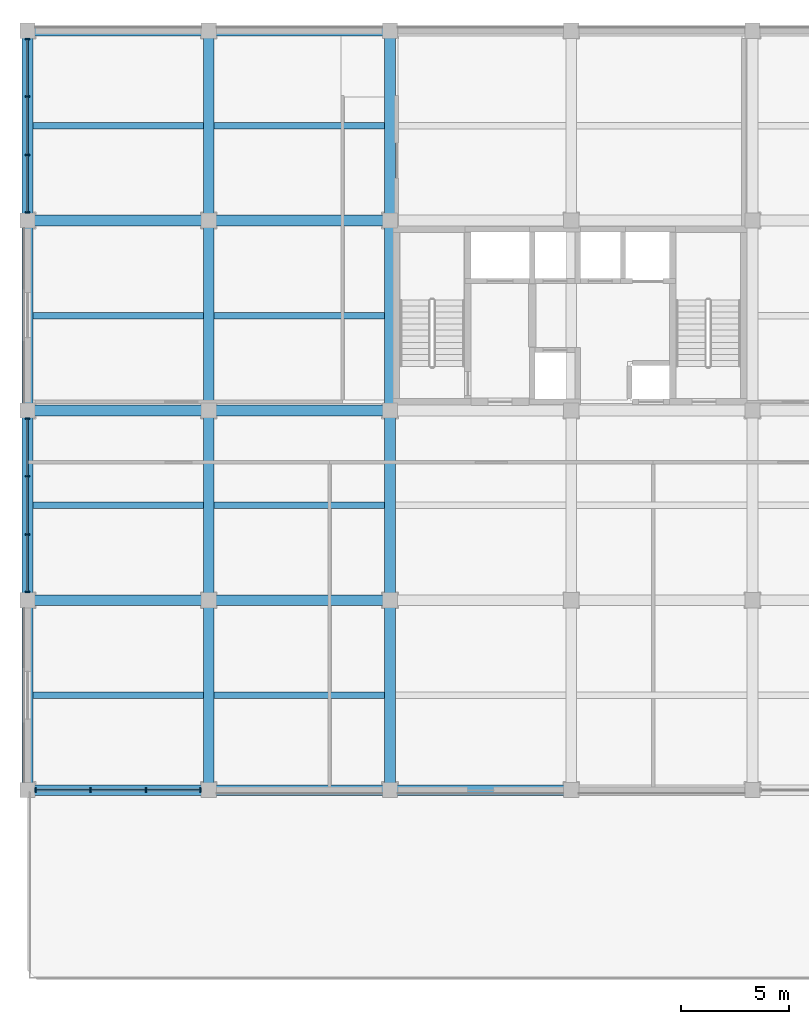
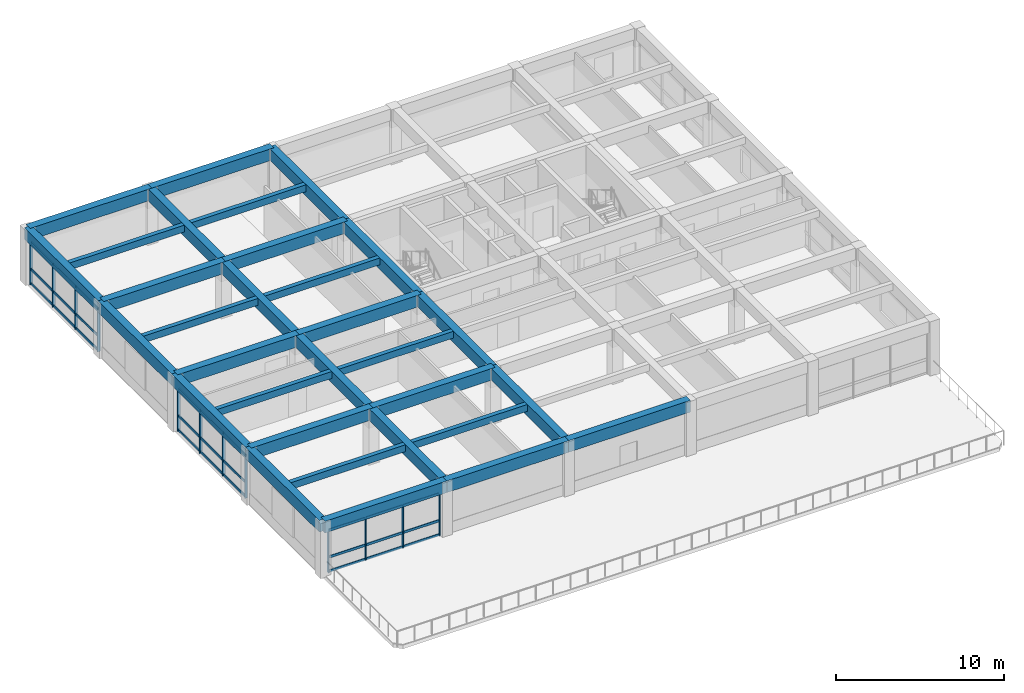
# One storey, part 2 of 8: 39 members, 31 beams, 3 elements without a shape of their own.
"""IFC4 building model written with IfcOpenShell, lengths in metres."""

from ifc_helpers import new_model, si_unit, direction, frame, origin, origin_2d, place, context, subcontext, project, spatial, rectangle, extrude, material, material_profile, profile_set, type_object, element, aggregate, save


model = new_model("IFC4")

# Units and contexts
model_context = context("Model", 3, precision=1e-05, world=origin(), true_north=direction((0.0, 1.0)))
body_context = subcontext(model_context, "Body", "Model", "MODEL_VIEW")
ifc_project = project(units=[si_unit("LENGTHUNIT", "METRE"), si_unit("AREAUNIT", "SQUARE_METRE"), si_unit("VOLUMEUNIT", "CUBIC_METRE"), si_unit("PLANEANGLEUNIT", "RADIAN"), si_unit("MASSUNIT", "GRAM", prefix="KILO")], contexts=[model_context])

# Site, building, storey
site_placement = place(None, origin())
site = spatial("IfcSite", under=ifc_project, at=site_placement, CompositionType="ELEMENT")
building_placement = place(site_placement, origin())
building = spatial("IfcBuilding", under=site, at=building_placement, Name="Kemercrest Conservatory and Botanical Centre", CompositionType="ELEMENT")
storey_placement = place(building_placement, frame((0.0, 0.0, 24.800048828125)))
storey = spatial("IfcBuildingStorey", under=building, at=storey_placement, Name="L06", CompositionType="ELEMENT", Elevation=24.800048828125)

# Beams
ifc_material_1 = material(Name="Concrete C50/60", Category="concrete")
ifc_material_profile_1 = material_profile(ifc_material_1, rectangle(XDim=0.5, YDim=0.85009765625, at=origin_2d()), Name="RC 500x850")
ifc_profile_set_1 = profile_set([ifc_material_profile_1], Name="Concrete C50/60")
beam_type_1 = type_object("IfcBeamType", Name="BM-RC85", PredefinedType="BEAM", material=ifc_profile_set_1)
beam_1_placement = place(storey_placement, frame((134.0, 96.0, 3.574951171875), z_axis=(1.0, 0.0, 0.0), x_axis=(0.0, 1.0, 0.0)))
element("IfcBeam", 1, at=beam_1_placement, inside=storey, type_object=beam_type_1, Name="V4-L07 beam BM-RC85 L/16-17", PredefinedType="BEAM", context=body_context, shape_type="SweptSolid", body=[
    extrude(rectangle(XDim=0.5, YDim=0.85009765625, at=origin_2d()), origin(), (0.0, 0.0, 1.0), 8.39990234375),
])
beam_2_placement = place(storey_placement, frame((142.39990234375, 96.0, 3.574951171875), z_axis=(1.0, 0.0, 0.0), x_axis=(0.0, 1.0, 0.0)))
element("IfcBeam", 2, at=beam_2_placement, inside=storey, type_object=beam_type_1, Name="V4-L07 beam BM-RC85 L/17-18", PredefinedType="BEAM", context=body_context, shape_type="SweptSolid", body=[
    extrude(rectangle(XDim=0.5, YDim=0.85009765625, at=origin_2d()), origin(), (0.0, 0.0, 1.0), 8.400146484375),
])
beam_3_placement = place(storey_placement, frame((134.0, 104.800048828125, 3.574951171875), z_axis=(1.0, 0.0, 0.0), x_axis=(0.0, 1.0, 0.0)))
element("IfcBeam", 3, at=beam_3_placement, inside=storey, type_object=beam_type_1, Name="V4-L07 beam BM-RC85 M/16-17", PredefinedType="BEAM", context=body_context, shape_type="SweptSolid", body=[
    extrude(rectangle(XDim=0.5, YDim=0.85009765625, at=origin_2d()), origin(), (0.0, 0.0, 1.0), 8.39990234375),
])
beam_4_placement = place(storey_placement, frame((142.39990234375, 104.800048828125, 3.574951171875), z_axis=(1.0, 0.0, 0.0), x_axis=(0.0, 1.0, 0.0)))
element("IfcBeam", 4, at=beam_4_placement, inside=storey, type_object=beam_type_1, Name="V4-L07 beam BM-RC85 M/17-18", PredefinedType="BEAM", context=body_context, shape_type="SweptSolid", body=[
    extrude(rectangle(XDim=0.5, YDim=0.85009765625, at=origin_2d()), origin(), (0.0, 0.0, 1.0), 8.400146484375),
])
beam_5_placement = place(storey_placement, frame((134.0, 113.60009765625, 3.574951171875), z_axis=(1.0, 0.0, 0.0), x_axis=(0.0, 1.0, 0.0)))
element("IfcBeam", 5, at=beam_5_placement, inside=storey, type_object=beam_type_1, Name="V4-L07 beam BM-RC85 N/16-17", PredefinedType="BEAM", context=body_context, shape_type="SweptSolid", body=[
    extrude(rectangle(XDim=0.5, YDim=0.85009765625, at=origin_2d()), origin(), (0.0, 0.0, 1.0), 8.39990234375),
])
beam_6_placement = place(storey_placement, frame((142.39990234375, 113.60009765625, 3.574951171875), z_axis=(1.0, 0.0, 0.0), x_axis=(0.0, 1.0, 0.0)))
element("IfcBeam", 6, at=beam_6_placement, inside=storey, type_object=beam_type_1, Name="V4-L07 beam BM-RC85 N/17-18", PredefinedType="BEAM", context=body_context, shape_type="SweptSolid", body=[
    extrude(rectangle(XDim=0.5, YDim=0.85009765625, at=origin_2d()), origin(), (0.0, 0.0, 1.0), 8.400146484375),
])
for number, where, z_axis, x_axis, name in (
    (7, (142.39990234375, 87.199951171875, 3.574951171875), (0.0, 1.0, 0.0), (-1.0, 0.0, 0.0), "V4-L07 beam BM-RC85 17/K-L"),
    (8, (142.39990234375, 96.0, 3.574951171875), (0.0, 1.0, 0.0), (-1.0, 0.0, 0.0), "V4-L07 beam BM-RC85 17/L-M"),
    (9, (142.39990234375, 104.800048828125, 3.574951171875), (0.0, 1.0, 0.0), (-1.0, 0.0, 0.0), "V4-L07 beam BM-RC85 17/M-N"),
):
    element("IfcBeam", number, at=place(storey_placement, frame(where, z_axis=z_axis, x_axis=x_axis)), inside=storey, type_object=beam_type_1, Name=name, PredefinedType="BEAM", context=body_context, shape_type="SweptSolid", body=[
        extrude(rectangle(XDim=0.5, YDim=0.85009765625, at=origin_2d()), origin(), (0.0, 0.0, 1.0), 8.800048828125),
    ])
beam_7_placement = place(storey_placement, frame((142.39990234375, 113.60009765625, 3.574951171875), z_axis=(0.0, 1.0, 0.0), x_axis=(-1.0, 0.0, 0.0)))
element("IfcBeam", 10, at=beam_7_placement, inside=storey, type_object=beam_type_1, Name="V4-L07 beam BM-RC85 17/N-P", PredefinedType="BEAM", context=body_context, shape_type="SweptSolid", body=[
    extrude(rectangle(XDim=0.5, YDim=0.85009765625, at=origin_2d()), origin(), (0.0, 0.0, 1.0), 8.7998046875),
])
for number, where, z_axis, x_axis, name in (
    (11, (150.800048828125, 87.199951171875, 3.574951171875), (0.0, 1.0, 0.0), (-1.0, 0.0, 0.0), "V4-L07 beam BM-RC85 18/K-L"),
    (12, (150.800048828125, 96.0, 3.574951171875), (0.0, 1.0, 0.0), (-1.0, 0.0, 0.0), "V4-L07 beam BM-RC85 18/L-M"),
    (13, (150.800048828125, 104.800048828125, 3.574951171875), (0.0, 1.0, 0.0), (-1.0, 0.0, 0.0), "V4-L07 beam BM-RC85 18/M-N"),
):
    element("IfcBeam", number, at=place(storey_placement, frame(where, z_axis=z_axis, x_axis=x_axis)), inside=storey, type_object=beam_type_1, Name=name, PredefinedType="BEAM", context=body_context, shape_type="SweptSolid", body=[
        extrude(rectangle(XDim=0.5, YDim=0.85009765625, at=origin_2d()), origin(), (0.0, 0.0, 1.0), 8.800048828125),
    ])
beam_8_placement = place(storey_placement, frame((150.800048828125, 113.60009765625, 3.574951171875), z_axis=(0.0, 1.0, 0.0), x_axis=(-1.0, 0.0, 0.0)))
element("IfcBeam", 14, at=beam_8_placement, inside=storey, type_object=beam_type_1, Name="V4-L07 beam BM-RC85 18/N-P", PredefinedType="BEAM", context=body_context, shape_type="SweptSolid", body=[
    extrude(rectangle(XDim=0.5, YDim=0.85009765625, at=origin_2d()), origin(), (0.0, 0.0, 1.0), 8.7998046875),
])

# Curtain wall, members
ifc_material_2 = material(Name="Thermally broken aluminium and triple low-e glazing", Category="aluminium")
curtain_wall_type_1 = type_object("IfcCurtainWallType", Name="CW-23", PredefinedType="USERDEFINED", material=ifc_material_2)
curtain_wall_1_placement = place(storey_placement, origin())
curtain_wall_1 = element("IfcCurtainWall", 15, at=curtain_wall_1_placement, inside=storey, type_object=curtain_wall_type_1, Name="Unitised curtain wall CW-23 (CW:L06:V4-082)", ObjectType="UNITISED CURTAIN WALL", PredefinedType="USERDEFINED")
ifc_material_3 = material(Name="Thermally broken anodized aluminium 6063-T6", Category="aluminium")
ifc_material_profile_2 = material_profile(ifc_material_3, rectangle(XDim=0.199951171875, YDim=0.06494140625, at=origin_2d()), Name="AL MULLION 65x200")
ifc_profile_set_2 = profile_set([ifc_material_profile_2], Name="Thermally broken anodized aluminium 6063-T6")
member_type_1 = type_object("IfcMemberType", Name="CW-M200", PredefinedType="MULLION", material=ifc_profile_set_2)
member_1_placement = place(storey_placement, frame((134.37744140625, 87.199951171875, 0.0), z_axis=(0.0, 0.0, 1.0), x_axis=(0.0, 1.0, 0.0)))
member_1 = element("IfcMember", 16, at=member_1_placement, type_object=member_type_1, Name="CW-23 mullion 1", PredefinedType="MULLION", context=body_context, shape_type="SweptSolid", body=[
    extrude(rectangle(XDim=0.199951171875, YDim=0.06494140625, at=origin_2d()), origin(), (0.0, 0.0, 1.0), 3.155029296875),
])
member_2_placement = place(storey_placement, frame((136.9150390625, 87.199951171875, 0.0), z_axis=(0.0, 0.0, 1.0), x_axis=(0.0, 1.0, 0.0)))
member_2 = element("IfcMember", 17, at=member_2_placement, type_object=member_type_1, Name="CW-23 mullion 2", PredefinedType="MULLION", context=body_context, shape_type="SweptSolid", body=[
    extrude(rectangle(XDim=0.199951171875, YDim=0.06494140625, at=origin_2d()), origin(), (0.0, 0.0, 1.0), 3.155029296875),
])
member_3_placement = place(storey_placement, frame((139.485107421875, 87.199951171875, 0.0), z_axis=(0.0, 0.0, 1.0), x_axis=(0.0, 1.0, 0.0)))
member_3 = element("IfcMember", 18, at=member_3_placement, type_object=member_type_1, Name="CW-23 mullion 3", PredefinedType="MULLION", context=body_context, shape_type="SweptSolid", body=[
    extrude(rectangle(XDim=0.199951171875, YDim=0.06494140625, at=origin_2d()), origin(), (0.0, 0.0, 1.0), 3.155029296875),
])
member_4_placement = place(storey_placement, frame((142.0224609375, 87.199951171875, 0.0), z_axis=(0.0, 0.0, 1.0), x_axis=(0.0, 1.0, 0.0)))
member_4 = element("IfcMember", 19, at=member_4_placement, type_object=member_type_1, Name="CW-23 mullion 4", PredefinedType="MULLION", context=body_context, shape_type="SweptSolid", body=[
    extrude(rectangle(XDim=0.199951171875, YDim=0.06494140625, at=origin_2d()), origin(), (0.0, 0.0, 1.0), 3.155029296875),
])

curtain_wall_type_2 = type_object("IfcCurtainWallType", Name="CW-27", PredefinedType="USERDEFINED", material=ifc_material_2)
curtain_wall_2_placement = place(storey_placement, origin())
curtain_wall_2 = element("IfcCurtainWall", 20, at=curtain_wall_2_placement, inside=storey, type_object=curtain_wall_type_2, Name="Unitised curtain wall CW-27 (CW:L06:V4-086)", ObjectType="UNITISED CURTAIN WALL", PredefinedType="USERDEFINED")
member_5_placement = place(storey_placement, frame((134.0, 122.0224609375, 0.0), z_axis=(0.0, 0.0, 1.0), x_axis=(1.0, 0.0, 0.0)))
member_5 = element("IfcMember", 21, at=member_5_placement, type_object=member_type_1, Name="CW-27 mullion 1", PredefinedType="MULLION", context=body_context, shape_type="SweptSolid", body=[
    extrude(rectangle(XDim=0.199951171875, YDim=0.06494140625, at=origin_2d()), origin(), (0.0, 0.0, 1.0), 3.155029296875),
])
member_6_placement = place(storey_placement, frame((134.0, 119.3515625, 0.0), z_axis=(0.0, 0.0, 1.0), x_axis=(1.0, 0.0, 0.0)))
member_6 = element("IfcMember", 22, at=member_6_placement, type_object=member_type_1, Name="CW-27 mullion 2", PredefinedType="MULLION", context=body_context, shape_type="SweptSolid", body=[
    extrude(rectangle(XDim=0.199951171875, YDim=0.06494140625, at=origin_2d()), origin(), (0.0, 0.0, 1.0), 3.155029296875),
])
member_7_placement = place(storey_placement, frame((134.0, 116.6484375, 0.0), z_axis=(0.0, 0.0, 1.0), x_axis=(1.0, 0.0, 0.0)))
member_7 = element("IfcMember", 23, at=member_7_placement, type_object=member_type_1, Name="CW-27 mullion 3", PredefinedType="MULLION", context=body_context, shape_type="SweptSolid", body=[
    extrude(rectangle(XDim=0.199951171875, YDim=0.06494140625, at=origin_2d()), origin(), (0.0, 0.0, 1.0), 3.155029296875),
])
member_8_placement = place(storey_placement, frame((134.0, 113.9775390625, 0.0), z_axis=(0.0, 0.0, 1.0), x_axis=(1.0, 0.0, 0.0)))
member_8 = element("IfcMember", 24, at=member_8_placement, type_object=member_type_1, Name="CW-27 mullion 4", PredefinedType="MULLION", context=body_context, shape_type="SweptSolid", body=[
    extrude(rectangle(XDim=0.199951171875, YDim=0.06494140625, at=origin_2d()), origin(), (0.0, 0.0, 1.0), 3.155029296875),
])

curtain_wall_type_3 = type_object("IfcCurtainWallType", Name="CW-28", PredefinedType="USERDEFINED", material=ifc_material_2)
curtain_wall_3_placement = place(storey_placement, origin())
curtain_wall_3 = element("IfcCurtainWall", 25, at=curtain_wall_3_placement, inside=storey, type_object=curtain_wall_type_3, Name="Unitised curtain wall CW-28 (CW:L06:V4-087)", ObjectType="UNITISED CURTAIN WALL", PredefinedType="USERDEFINED")
member_9_placement = place(storey_placement, frame((134.0, 104.422607421875, 0.0), z_axis=(0.0, 0.0, 1.0), x_axis=(1.0, 0.0, 0.0)))
member_9 = element("IfcMember", 26, at=member_9_placement, type_object=member_type_1, Name="CW-28 mullion 1", PredefinedType="MULLION", context=body_context, shape_type="SweptSolid", body=[
    extrude(rectangle(XDim=0.199951171875, YDim=0.06494140625, at=origin_2d()), origin(), (0.0, 0.0, 1.0), 3.155029296875),
])
member_10_placement = place(storey_placement, frame((134.0, 101.751708984375, 0.0), z_axis=(0.0, 0.0, 1.0), x_axis=(1.0, 0.0, 0.0)))
member_10 = element("IfcMember", 27, at=member_10_placement, type_object=member_type_1, Name="CW-28 mullion 2", PredefinedType="MULLION", context=body_context, shape_type="SweptSolid", body=[
    extrude(rectangle(XDim=0.199951171875, YDim=0.06494140625, at=origin_2d()), origin(), (0.0, 0.0, 1.0), 3.155029296875),
])
member_11_placement = place(storey_placement, frame((134.0, 99.04833984375, 0.0), z_axis=(0.0, 0.0, 1.0), x_axis=(1.0, 0.0, 0.0)))
member_11 = element("IfcMember", 28, at=member_11_placement, type_object=member_type_1, Name="CW-28 mullion 3", PredefinedType="MULLION", context=body_context, shape_type="SweptSolid", body=[
    extrude(rectangle(XDim=0.199951171875, YDim=0.06494140625, at=origin_2d()), origin(), (0.0, 0.0, 1.0), 3.155029296875),
])
member_12_placement = place(storey_placement, frame((134.0, 96.37744140625, 0.0), z_axis=(0.0, 0.0, 1.0), x_axis=(1.0, 0.0, 0.0)))
member_12 = element("IfcMember", 29, at=member_12_placement, type_object=member_type_1, Name="CW-28 mullion 4", PredefinedType="MULLION", context=body_context, shape_type="SweptSolid", body=[
    extrude(rectangle(XDim=0.199951171875, YDim=0.06494140625, at=origin_2d()), origin(), (0.0, 0.0, 1.0), 3.155029296875),
])

# Member
ifc_material_profile_3 = material_profile(ifc_material_3, rectangle(XDim=0.074951171875, YDim=0.179931640625, at=origin_2d()), Name="AL TRANSOM 75x180")
ifc_profile_set_3 = profile_set([ifc_material_profile_3], Name="Thermally broken anodized aluminium 6063-T6")
member_type_2 = type_object("IfcMemberType", Name="CW-T180", PredefinedType="USERDEFINED", material=ifc_profile_set_3)
member_13_placement = place(storey_placement, frame((134.409912109375, 87.199951171875, 0.08984375), z_axis=(1.0, 0.0, 0.0), x_axis=(0.0, 1.0, 0.0)))
member_13 = element("IfcMember", 30, at=member_13_placement, type_object=member_type_2, Name="CW-23 transom 1.1", ObjectType="TRANSOM", PredefinedType="USERDEFINED", context=body_context, shape_type="SweptSolid", body=[
    extrude(rectangle(XDim=0.074951171875, YDim=0.179931640625, at=origin_2d()), origin(), (0.0, 0.0, 1.0), 2.47265625),
])

member_14_placement = place(storey_placement, frame((134.409912109375, 87.199951171875, 1.119873046875), z_axis=(1.0, 0.0, 0.0), x_axis=(0.0, 1.0, 0.0)))
member_14 = element("IfcMember", 31, at=member_14_placement, type_object=member_type_2, Name="CW-23 transom 1.2", ObjectType="TRANSOM", PredefinedType="USERDEFINED", context=body_context, shape_type="SweptSolid", body=[
    extrude(rectangle(XDim=0.074951171875, YDim=0.179931640625, at=origin_2d()), origin(), (0.0, 0.0, 1.0), 2.47265625),
])

member_15_placement = place(storey_placement, frame((134.409912109375, 87.199951171875, 3.06494140625), z_axis=(1.0, 0.0, 0.0), x_axis=(0.0, 1.0, 0.0)))
member_15 = element("IfcMember", 32, at=member_15_placement, type_object=member_type_2, Name="CW-23 transom 1.3", ObjectType="TRANSOM", PredefinedType="USERDEFINED", context=body_context, shape_type="SweptSolid", body=[
    extrude(rectangle(XDim=0.074951171875, YDim=0.179931640625, at=origin_2d()), origin(), (0.0, 0.0, 1.0), 2.47265625),
])

member_16_placement = place(storey_placement, frame((136.947509765625, 87.199951171875, 0.08984375), z_axis=(1.0, 0.0, 0.0), x_axis=(0.0, 1.0, 0.0)))
member_16 = element("IfcMember", 33, at=member_16_placement, type_object=member_type_2, Name="CW-23 transom 2.1", ObjectType="TRANSOM", PredefinedType="USERDEFINED", context=body_context, shape_type="SweptSolid", body=[
    extrude(rectangle(XDim=0.074951171875, YDim=0.179931640625, at=origin_2d()), origin(), (0.0, 0.0, 1.0), 2.5048828125),
])

member_17_placement = place(storey_placement, frame((136.947509765625, 87.199951171875, 1.119873046875), z_axis=(1.0, 0.0, 0.0), x_axis=(0.0, 1.0, 0.0)))
member_17 = element("IfcMember", 34, at=member_17_placement, type_object=member_type_2, Name="CW-23 transom 2.2", ObjectType="TRANSOM", PredefinedType="USERDEFINED", context=body_context, shape_type="SweptSolid", body=[
    extrude(rectangle(XDim=0.074951171875, YDim=0.179931640625, at=origin_2d()), origin(), (0.0, 0.0, 1.0), 2.5048828125),
])

member_18_placement = place(storey_placement, frame((136.947509765625, 87.199951171875, 3.06494140625), z_axis=(1.0, 0.0, 0.0), x_axis=(0.0, 1.0, 0.0)))
member_18 = element("IfcMember", 35, at=member_18_placement, type_object=member_type_2, Name="CW-23 transom 2.3", ObjectType="TRANSOM", PredefinedType="USERDEFINED", context=body_context, shape_type="SweptSolid", body=[
    extrude(rectangle(XDim=0.074951171875, YDim=0.179931640625, at=origin_2d()), origin(), (0.0, 0.0, 1.0), 2.5048828125),
])

member_19_placement = place(storey_placement, frame((139.517578125, 87.199951171875, 0.08984375), z_axis=(1.0, 0.0, 0.0), x_axis=(0.0, 1.0, 0.0)))
member_19 = element("IfcMember", 36, at=member_19_placement, type_object=member_type_2, Name="CW-23 transom 3.1", ObjectType="TRANSOM", PredefinedType="USERDEFINED", context=body_context, shape_type="SweptSolid", body=[
    extrude(rectangle(XDim=0.074951171875, YDim=0.179931640625, at=origin_2d()), origin(), (0.0, 0.0, 1.0), 2.472412109375),
])

member_20_placement = place(storey_placement, frame((139.517578125, 87.199951171875, 1.119873046875), z_axis=(1.0, 0.0, 0.0), x_axis=(0.0, 1.0, 0.0)))
member_20 = element("IfcMember", 37, at=member_20_placement, type_object=member_type_2, Name="CW-23 transom 3.2", ObjectType="TRANSOM", PredefinedType="USERDEFINED", context=body_context, shape_type="SweptSolid", body=[
    extrude(rectangle(XDim=0.074951171875, YDim=0.179931640625, at=origin_2d()), origin(), (0.0, 0.0, 1.0), 2.472412109375),
])

member_21_placement = place(storey_placement, frame((139.517578125, 87.199951171875, 3.06494140625), z_axis=(1.0, 0.0, 0.0), x_axis=(0.0, 1.0, 0.0)))
member_21 = element("IfcMember", 38, at=member_21_placement, type_object=member_type_2, Name="CW-23 transom 3.3", ObjectType="TRANSOM", PredefinedType="USERDEFINED", context=body_context, shape_type="SweptSolid", body=[
    extrude(rectangle(XDim=0.074951171875, YDim=0.179931640625, at=origin_2d()), origin(), (0.0, 0.0, 1.0), 2.472412109375),
])

aggregate(curtain_wall_1, [member_1, member_2, member_3, member_4, member_13, member_14, member_15, member_16, member_17, member_18, member_19, member_20, member_21])

member_22_placement = place(storey_placement, frame((134.0, 121.989990234375, 0.08984375), z_axis=(0.0, -1.0, 0.0), x_axis=(1.0, 0.0, 0.0)))
member_22 = element("IfcMember", 39, at=member_22_placement, type_object=member_type_2, Name="CW-27 transom 1.1", ObjectType="TRANSOM", PredefinedType="USERDEFINED", context=body_context, shape_type="SweptSolid", body=[
    extrude(rectangle(XDim=0.074951171875, YDim=0.179931640625, at=origin_2d()), origin(), (0.0, 0.0, 1.0), 2.605712890625),
])

member_23_placement = place(storey_placement, frame((134.0, 121.989990234375, 1.119873046875), z_axis=(0.0, -1.0, 0.0), x_axis=(1.0, 0.0, 0.0)))
member_23 = element("IfcMember", 40, at=member_23_placement, type_object=member_type_2, Name="CW-27 transom 1.2", ObjectType="TRANSOM", PredefinedType="USERDEFINED", context=body_context, shape_type="SweptSolid", body=[
    extrude(rectangle(XDim=0.074951171875, YDim=0.179931640625, at=origin_2d()), origin(), (0.0, 0.0, 1.0), 2.605712890625),
])

member_24_placement = place(storey_placement, frame((134.0, 121.989990234375, 3.06494140625), z_axis=(0.0, -1.0, 0.0), x_axis=(1.0, 0.0, 0.0)))
member_24 = element("IfcMember", 41, at=member_24_placement, type_object=member_type_2, Name="CW-27 transom 1.3", ObjectType="TRANSOM", PredefinedType="USERDEFINED", context=body_context, shape_type="SweptSolid", body=[
    extrude(rectangle(XDim=0.074951171875, YDim=0.179931640625, at=origin_2d()), origin(), (0.0, 0.0, 1.0), 2.605712890625),
])

member_25_placement = place(storey_placement, frame((134.0, 119.319091796875, 0.08984375), z_axis=(0.0, -1.0, 0.0), x_axis=(1.0, 0.0, 0.0)))
member_25 = element("IfcMember", 42, at=member_25_placement, type_object=member_type_2, Name="CW-27 transom 2.1", ObjectType="TRANSOM", PredefinedType="USERDEFINED", context=body_context, shape_type="SweptSolid", body=[
    extrude(rectangle(XDim=0.074951171875, YDim=0.179931640625, at=origin_2d()), origin(), (0.0, 0.0, 1.0), 2.63818359375),
])

member_26_placement = place(storey_placement, frame((134.0, 119.319091796875, 1.119873046875), z_axis=(0.0, -1.0, 0.0), x_axis=(1.0, 0.0, 0.0)))
member_26 = element("IfcMember", 43, at=member_26_placement, type_object=member_type_2, Name="CW-27 transom 2.2", ObjectType="TRANSOM", PredefinedType="USERDEFINED", context=body_context, shape_type="SweptSolid", body=[
    extrude(rectangle(XDim=0.074951171875, YDim=0.179931640625, at=origin_2d()), origin(), (0.0, 0.0, 1.0), 2.63818359375),
])

member_27_placement = place(storey_placement, frame((134.0, 119.319091796875, 3.06494140625), z_axis=(0.0, -1.0, 0.0), x_axis=(1.0, 0.0, 0.0)))
member_27 = element("IfcMember", 44, at=member_27_placement, type_object=member_type_2, Name="CW-27 transom 2.3", ObjectType="TRANSOM", PredefinedType="USERDEFINED", context=body_context, shape_type="SweptSolid", body=[
    extrude(rectangle(XDim=0.074951171875, YDim=0.179931640625, at=origin_2d()), origin(), (0.0, 0.0, 1.0), 2.63818359375),
])

member_28_placement = place(storey_placement, frame((134.0, 116.61572265625, 0.08984375), z_axis=(0.0, -1.0, 0.0), x_axis=(1.0, 0.0, 0.0)))
member_28 = element("IfcMember", 45, at=member_28_placement, type_object=member_type_2, Name="CW-27 transom 3.1", ObjectType="TRANSOM", PredefinedType="USERDEFINED", context=body_context, shape_type="SweptSolid", body=[
    extrude(rectangle(XDim=0.074951171875, YDim=0.179931640625, at=origin_2d()), origin(), (0.0, 0.0, 1.0), 2.605712890625),
])

member_29_placement = place(storey_placement, frame((134.0, 116.61572265625, 1.119873046875), z_axis=(0.0, -1.0, 0.0), x_axis=(1.0, 0.0, 0.0)))
member_29 = element("IfcMember", 46, at=member_29_placement, type_object=member_type_2, Name="CW-27 transom 3.2", ObjectType="TRANSOM", PredefinedType="USERDEFINED", context=body_context, shape_type="SweptSolid", body=[
    extrude(rectangle(XDim=0.074951171875, YDim=0.179931640625, at=origin_2d()), origin(), (0.0, 0.0, 1.0), 2.605712890625),
])

member_30_placement = place(storey_placement, frame((134.0, 116.61572265625, 3.06494140625), z_axis=(0.0, -1.0, 0.0), x_axis=(1.0, 0.0, 0.0)))
member_30 = element("IfcMember", 47, at=member_30_placement, type_object=member_type_2, Name="CW-27 transom 3.3", ObjectType="TRANSOM", PredefinedType="USERDEFINED", context=body_context, shape_type="SweptSolid", body=[
    extrude(rectangle(XDim=0.074951171875, YDim=0.179931640625, at=origin_2d()), origin(), (0.0, 0.0, 1.0), 2.605712890625),
])

aggregate(curtain_wall_2, [member_5, member_6, member_7, member_8, member_22, member_23, member_24, member_25, member_26, member_27, member_28, member_29, member_30])

member_31_placement = place(storey_placement, frame((134.0, 104.389892578125, 0.08984375), z_axis=(0.0, -1.0, 0.0), x_axis=(1.0, 0.0, 0.0)))
member_31 = element("IfcMember", 48, at=member_31_placement, type_object=member_type_2, Name="CW-28 transom 1.1", ObjectType="TRANSOM", PredefinedType="USERDEFINED", context=body_context, shape_type="SweptSolid", body=[
    extrude(rectangle(XDim=0.074951171875, YDim=0.179931640625, at=origin_2d()), origin(), (0.0, 0.0, 1.0), 2.605712890625),
])

member_32_placement = place(storey_placement, frame((134.0, 104.389892578125, 1.119873046875), z_axis=(0.0, -1.0, 0.0), x_axis=(1.0, 0.0, 0.0)))
member_32 = element("IfcMember", 49, at=member_32_placement, type_object=member_type_2, Name="CW-28 transom 1.2", ObjectType="TRANSOM", PredefinedType="USERDEFINED", context=body_context, shape_type="SweptSolid", body=[
    extrude(rectangle(XDim=0.074951171875, YDim=0.179931640625, at=origin_2d()), origin(), (0.0, 0.0, 1.0), 2.605712890625),
])

member_33_placement = place(storey_placement, frame((134.0, 104.389892578125, 3.06494140625), z_axis=(0.0, -1.0, 0.0), x_axis=(1.0, 0.0, 0.0)))
member_33 = element("IfcMember", 50, at=member_33_placement, type_object=member_type_2, Name="CW-28 transom 1.3", ObjectType="TRANSOM", PredefinedType="USERDEFINED", context=body_context, shape_type="SweptSolid", body=[
    extrude(rectangle(XDim=0.074951171875, YDim=0.179931640625, at=origin_2d()), origin(), (0.0, 0.0, 1.0), 2.605712890625),
])

member_34_placement = place(storey_placement, frame((134.0, 101.71923828125, 0.08984375), z_axis=(0.0, -1.0, 0.0), x_axis=(1.0, 0.0, 0.0)))
member_34 = element("IfcMember", 51, at=member_34_placement, type_object=member_type_2, Name="CW-28 transom 2.1", ObjectType="TRANSOM", PredefinedType="USERDEFINED", context=body_context, shape_type="SweptSolid", body=[
    extrude(rectangle(XDim=0.074951171875, YDim=0.179931640625, at=origin_2d()), origin(), (0.0, 0.0, 1.0), 2.638427734375),
])

member_35_placement = place(storey_placement, frame((134.0, 101.71923828125, 1.119873046875), z_axis=(0.0, -1.0, 0.0), x_axis=(1.0, 0.0, 0.0)))
member_35 = element("IfcMember", 52, at=member_35_placement, type_object=member_type_2, Name="CW-28 transom 2.2", ObjectType="TRANSOM", PredefinedType="USERDEFINED", context=body_context, shape_type="SweptSolid", body=[
    extrude(rectangle(XDim=0.074951171875, YDim=0.179931640625, at=origin_2d()), origin(), (0.0, 0.0, 1.0), 2.638427734375),
])

member_36_placement = place(storey_placement, frame((134.0, 101.71923828125, 3.06494140625), z_axis=(0.0, -1.0, 0.0), x_axis=(1.0, 0.0, 0.0)))
member_36 = element("IfcMember", 53, at=member_36_placement, type_object=member_type_2, Name="CW-28 transom 2.3", ObjectType="TRANSOM", PredefinedType="USERDEFINED", context=body_context, shape_type="SweptSolid", body=[
    extrude(rectangle(XDim=0.074951171875, YDim=0.179931640625, at=origin_2d()), origin(), (0.0, 0.0, 1.0), 2.638427734375),
])

member_37_placement = place(storey_placement, frame((134.0, 99.015869140625, 0.08984375), z_axis=(0.0, -1.0, 0.0), x_axis=(1.0, 0.0, 0.0)))
member_37 = element("IfcMember", 54, at=member_37_placement, type_object=member_type_2, Name="CW-28 transom 3.1", ObjectType="TRANSOM", PredefinedType="USERDEFINED", context=body_context, shape_type="SweptSolid", body=[
    extrude(rectangle(XDim=0.074951171875, YDim=0.179931640625, at=origin_2d()), origin(), (0.0, 0.0, 1.0), 2.60595703125),
])

member_38_placement = place(storey_placement, frame((134.0, 99.015869140625, 1.119873046875), z_axis=(0.0, -1.0, 0.0), x_axis=(1.0, 0.0, 0.0)))
member_38 = element("IfcMember", 55, at=member_38_placement, type_object=member_type_2, Name="CW-28 transom 3.2", ObjectType="TRANSOM", PredefinedType="USERDEFINED", context=body_context, shape_type="SweptSolid", body=[
    extrude(rectangle(XDim=0.074951171875, YDim=0.179931640625, at=origin_2d()), origin(), (0.0, 0.0, 1.0), 2.60595703125),
])

member_39_placement = place(storey_placement, frame((134.0, 99.015869140625, 3.06494140625), z_axis=(0.0, -1.0, 0.0), x_axis=(1.0, 0.0, 0.0)))
member_39 = element("IfcMember", 56, at=member_39_placement, type_object=member_type_2, Name="CW-28 transom 3.3", ObjectType="TRANSOM", PredefinedType="USERDEFINED", context=body_context, shape_type="SweptSolid", body=[
    extrude(rectangle(XDim=0.074951171875, YDim=0.179931640625, at=origin_2d()), origin(), (0.0, 0.0, 1.0), 2.60595703125),
])

aggregate(curtain_wall_3, [member_9, member_10, member_11, member_12, member_31, member_32, member_33, member_34, member_35, member_36, member_37, member_38, member_39])

# Beams
ifc_material_4 = material(Name="Concrete C40/50", Category="concrete")
ifc_material_profile_4 = material_profile(ifc_material_4, rectangle(XDim=0.300048828125, YDim=0.5, at=origin_2d()), Name="RC 300x500")
ifc_profile_set_4 = profile_set([ifc_material_profile_4], Name="Concrete C40/50")
beam_type_2 = type_object("IfcBeamType", Name="JS-RC50", PredefinedType="JOIST", material=ifc_profile_set_4)
beam_9_placement = place(storey_placement, frame((134.25, 91.60009765625, 3.75), z_axis=(1.0, 0.0, 0.0), x_axis=(0.0, 1.0, 0.0)))
element("IfcBeam", 57, at=beam_9_placement, inside=storey, type_object=beam_type_2, Name="V4-L07 secondary joist JS-RC50", PredefinedType="JOIST", context=body_context, shape_type="SweptSolid", body=[
    extrude(rectangle(XDim=0.300048828125, YDim=0.5, at=origin_2d()), origin(), (0.0, 0.0, 1.0), 7.89990234375),
])
beam_10_placement = place(storey_placement, frame((142.64990234375, 91.60009765625, 3.75), z_axis=(1.0, 0.0, 0.0), x_axis=(0.0, 1.0, 0.0)))
element("IfcBeam", 58, at=beam_10_placement, inside=storey, type_object=beam_type_2, Name="V4-L07 secondary joist JS-RC50", PredefinedType="JOIST", context=body_context, shape_type="SweptSolid", body=[
    extrude(rectangle(XDim=0.300048828125, YDim=0.5, at=origin_2d()), origin(), (0.0, 0.0, 1.0), 7.900146484375),
])
beam_11_placement = place(storey_placement, frame((134.25, 100.39990234375, 3.75), z_axis=(1.0, 0.0, 0.0), x_axis=(0.0, 1.0, 0.0)))
element("IfcBeam", 59, at=beam_11_placement, inside=storey, type_object=beam_type_2, Name="V4-L07 secondary joist JS-RC50", PredefinedType="JOIST", context=body_context, shape_type="SweptSolid", body=[
    extrude(rectangle(XDim=0.300048828125, YDim=0.5, at=origin_2d()), origin(), (0.0, 0.0, 1.0), 7.89990234375),
])
beam_12_placement = place(storey_placement, frame((142.64990234375, 100.39990234375, 3.75), z_axis=(1.0, 0.0, 0.0), x_axis=(0.0, 1.0, 0.0)))
element("IfcBeam", 60, at=beam_12_placement, inside=storey, type_object=beam_type_2, Name="V4-L07 secondary joist JS-RC50", PredefinedType="JOIST", context=body_context, shape_type="SweptSolid", body=[
    extrude(rectangle(XDim=0.300048828125, YDim=0.5, at=origin_2d()), origin(), (0.0, 0.0, 1.0), 7.900146484375),
])
beam_13_placement = place(storey_placement, frame((134.25, 109.199951171875, 3.75), z_axis=(1.0, 0.0, 0.0), x_axis=(0.0, 1.0, 0.0)))
element("IfcBeam", 61, at=beam_13_placement, inside=storey, type_object=beam_type_2, Name="V4-L07 secondary joist JS-RC50", PredefinedType="JOIST", context=body_context, shape_type="SweptSolid", body=[
    extrude(rectangle(XDim=0.300048828125, YDim=0.5, at=origin_2d()), origin(), (0.0, 0.0, 1.0), 7.89990234375),
])
beam_14_placement = place(storey_placement, frame((142.64990234375, 109.199951171875, 3.75), z_axis=(1.0, 0.0, 0.0), x_axis=(0.0, 1.0, 0.0)))
element("IfcBeam", 62, at=beam_14_placement, inside=storey, type_object=beam_type_2, Name="V4-L07 secondary joist JS-RC50", PredefinedType="JOIST", context=body_context, shape_type="SweptSolid", body=[
    extrude(rectangle(XDim=0.300048828125, YDim=0.5, at=origin_2d()), origin(), (0.0, 0.0, 1.0), 7.900146484375),
])
beam_15_placement = place(storey_placement, frame((134.25, 118.0, 3.75), z_axis=(1.0, 0.0, 0.0), x_axis=(0.0, 1.0, 0.0)))
element("IfcBeam", 63, at=beam_15_placement, inside=storey, type_object=beam_type_2, Name="V4-L07 secondary joist JS-RC50", PredefinedType="JOIST", context=body_context, shape_type="SweptSolid", body=[
    extrude(rectangle(XDim=0.300048828125, YDim=0.5, at=origin_2d()), origin(), (0.0, 0.0, 1.0), 7.89990234375),
])
beam_16_placement = place(storey_placement, frame((142.64990234375, 118.0, 3.75), z_axis=(1.0, 0.0, 0.0), x_axis=(0.0, 1.0, 0.0)))
element("IfcBeam", 64, at=beam_16_placement, inside=storey, type_object=beam_type_2, Name="V4-L07 secondary joist JS-RC50", PredefinedType="JOIST", context=body_context, shape_type="SweptSolid", body=[
    extrude(rectangle(XDim=0.300048828125, YDim=0.5, at=origin_2d()), origin(), (0.0, 0.0, 1.0), 7.900146484375),
])
ifc_material_profile_5 = material_profile(ifc_material_1, rectangle(XDim=0.5, YDim=0.85009765625, at=origin_2d()), Name="RC 500x850")
ifc_profile_set_5 = profile_set([ifc_material_profile_5], Name="Concrete C50/60")
beam_type_3 = type_object("IfcBeamType", Name="SP-RC85", PredefinedType="SPANDREL", material=ifc_profile_set_5)
beam_17_placement = place(storey_placement, frame((134.0, 87.199951171875, 3.574951171875), z_axis=(1.0, 0.0, 0.0), x_axis=(0.0, 1.0, 0.0)))
element("IfcBeam", 65, at=beam_17_placement, inside=storey, type_object=beam_type_3, Name="V4-L07 beam SP-RC85 K/16-17", PredefinedType="SPANDREL", context=body_context, shape_type="SweptSolid", body=[
    extrude(rectangle(XDim=0.5, YDim=0.85009765625, at=origin_2d()), origin(), (0.0, 0.0, 1.0), 8.39990234375),
])
beam_18_placement = place(storey_placement, frame((142.39990234375, 87.199951171875, 3.574951171875), z_axis=(1.0, 0.0, 0.0), x_axis=(0.0, 1.0, 0.0)))
element("IfcBeam", 66, at=beam_18_placement, inside=storey, type_object=beam_type_3, Name="V4-L07 beam SP-RC85 K/17-18", PredefinedType="SPANDREL", context=body_context, shape_type="SweptSolid", body=[
    extrude(rectangle(XDim=0.5, YDim=0.85009765625, at=origin_2d()), origin(), (0.0, 0.0, 1.0), 8.400146484375),
])
for number, where, z_axis, x_axis, name in (
    (67, (150.800048828125, 87.199951171875, 3.574951171875), (1.0, 0.0, 0.0), (0.0, 1.0, 0.0), "V4-L07 beam SP-RC85 K/18-19"),
    (68, (134.0, 122.39990234375, 3.574951171875), (1.0, 0.0, 0.0), (0.0, 1.0, 0.0), "V4-L07 beam SP-RC85 P/16-17"),
):
    element("IfcBeam", number, at=place(storey_placement, frame(where, z_axis=z_axis, x_axis=x_axis)), inside=storey, type_object=beam_type_3, Name=name, PredefinedType="SPANDREL", context=body_context, shape_type="SweptSolid", body=[
        extrude(rectangle(XDim=0.5, YDim=0.85009765625, at=origin_2d()), origin(), (0.0, 0.0, 1.0), 8.39990234375),
    ])
beam_19_placement = place(storey_placement, frame((142.39990234375, 122.39990234375, 3.574951171875), z_axis=(1.0, 0.0, 0.0), x_axis=(0.0, 1.0, 0.0)))
element("IfcBeam", 69, at=beam_19_placement, inside=storey, type_object=beam_type_3, Name="V4-L07 beam SP-RC85 P/17-18", PredefinedType="SPANDREL", context=body_context, shape_type="SweptSolid", body=[
    extrude(rectangle(XDim=0.5, YDim=0.85009765625, at=origin_2d()), origin(), (0.0, 0.0, 1.0), 8.400146484375),
])
for number, where, z_axis, x_axis, name in (
    (70, (134.0, 87.199951171875, 3.574951171875), (0.0, 1.0, 0.0), (-1.0, 0.0, 0.0), "V4-L07 beam SP-RC85 16/K-L"),
    (71, (134.0, 96.0, 3.574951171875), (0.0, 1.0, 0.0), (-1.0, 0.0, 0.0), "V4-L07 beam SP-RC85 16/L-M"),
    (72, (134.0, 104.800048828125, 3.574951171875), (0.0, 1.0, 0.0), (-1.0, 0.0, 0.0), "V4-L07 beam SP-RC85 16/M-N"),
):
    element("IfcBeam", number, at=place(storey_placement, frame(where, z_axis=z_axis, x_axis=x_axis)), inside=storey, type_object=beam_type_3, Name=name, PredefinedType="SPANDREL", context=body_context, shape_type="SweptSolid", body=[
        extrude(rectangle(XDim=0.5, YDim=0.85009765625, at=origin_2d()), origin(), (0.0, 0.0, 1.0), 8.800048828125),
    ])
beam_20_placement = place(storey_placement, frame((134.0, 113.60009765625, 3.574951171875), z_axis=(0.0, 1.0, 0.0), x_axis=(-1.0, 0.0, 0.0)))
element("IfcBeam", 73, at=beam_20_placement, inside=storey, type_object=beam_type_3, Name="V4-L07 beam SP-RC85 16/N-P", PredefinedType="SPANDREL", context=body_context, shape_type="SweptSolid", body=[
    extrude(rectangle(XDim=0.5, YDim=0.85009765625, at=origin_2d()), origin(), (0.0, 0.0, 1.0), 8.7998046875),
])

save(model, "model.ifc")
